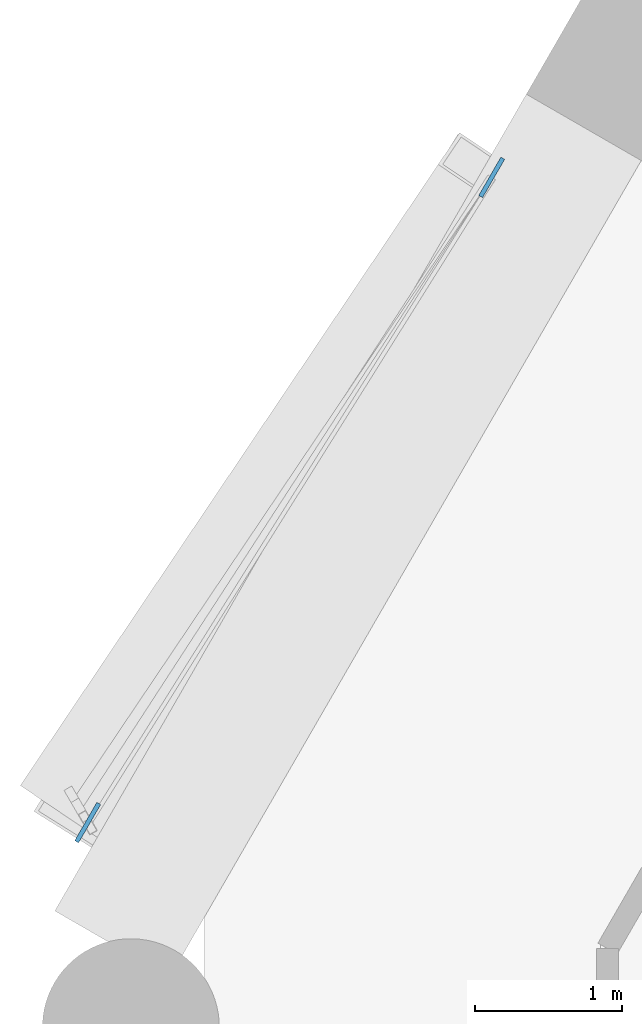
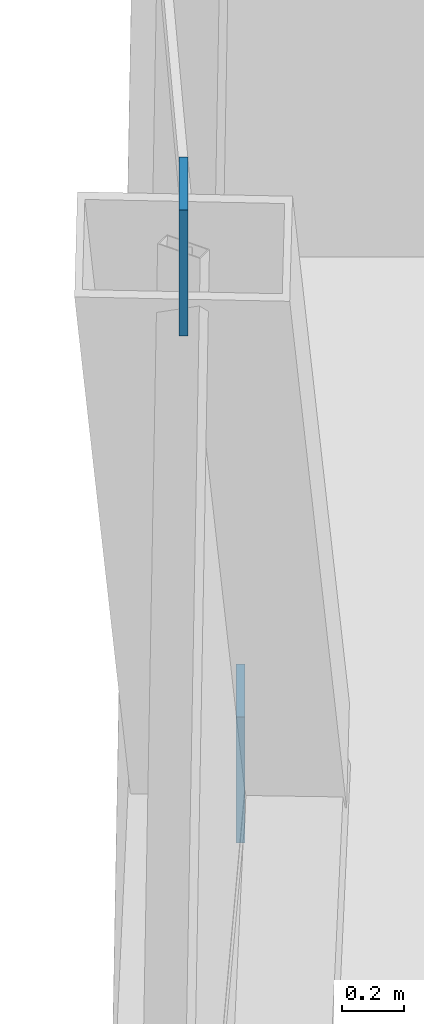
# One storey, part 36 of 38: 2 discrete accessories.
"""IFC4 building model written with IfcOpenShell, lengths in metres."""

import ifcopenshell
import ifcopenshell.guid

model = None  # the IFC model being written
_history = None  # IfcOwnerHistory: only IFC2X3 demands one
_inside = {}  # id of a spatial element -> (the spatial element, [elements in it])
_under = {}  # id of a project, library or spatial element -> (it, [spatial elements below it])
_declared = {}  # id of a project -> (the project, [libraries it declares])
_typed = {}  # id of a type object -> (the type object, [elements of that type])
_made_of = {}  # id of a material, layer set ... -> (it, [elements and type objects made of it])


def new_model(schema):
    """Start an empty IFC model of exactly this schema.

    Asked for "IFC4X3", IfcOpenShell would pick the latest addendum, in which some entities
    have other attributes; the version numbers below select the first issue.
    IFC2X3 requires an IfcOwnerHistory on every rooted entity: one is made here for all.
    """
    global model, _history
    if schema == "IFC4X3":
        model = ifcopenshell.file(schema_version=(4, 3, 0, 0))
    else:
        model = ifcopenshell.file(schema=schema)
    _inside.clear()
    _under.clear()
    _declared.clear()
    _typed.clear()
    _made_of.clear()
    _history = None
    if model.schema == "IFC2X3":
        org = make("IfcOrganization", Name="unknown")
        user = make(
            "IfcPersonAndOrganization",
            ThePerson=make("IfcPerson", FamilyName="unknown"),
            TheOrganization=org,
        )
        app = make(
            "IfcApplication",
            ApplicationDeveloper=org,
            Version="unknown",
            ApplicationFullName="unknown",
            ApplicationIdentifier="unknown",
        )
        _history = make(
            "IfcOwnerHistory",
            OwningUser=user,
            OwningApplication=app,
            ChangeAction="ADDED",
            CreationDate=0,
        )
    return model


def make(cls, **values):
    """One entity of the class cls with the attributes given. An attribute that is None is left unset."""
    return model.create_entity(
        cls, **{name: value for name, value in values.items() if value is not None}
    )


def rooted(cls, **values):
    """An entity with a GlobalId (a new one), such as an element, a storey or a relation."""
    return make(cls, GlobalId=ifcopenshell.guid.new(), OwnerHistory=_history, **values)


def si_unit(unit_type, name, prefix=None):
    """IfcSIUnit, for example si_unit("LENGTHUNIT", "METRE", prefix="MILLI")."""
    return make("IfcSIUnit", UnitType=unit_type, Prefix=prefix, Name=name)


def assignment(units):
    """IfcUnitAssignment: the units of a project."""
    return None if units is None else make("IfcUnitAssignment", Units=units)


def point(xyz):
    """IfcCartesianPoint."""
    return None if xyz is None else make("IfcCartesianPoint", Coordinates=xyz)


def direction(xyz):
    """IfcDirection."""
    return None if xyz is None else make("IfcDirection", DirectionRatios=xyz)


def frame(location, z_axis=None, x_axis=None):
    """IfcAxis2Placement3D, a coordinate frame: its origin and axes. An axis left out is left unset."""
    return make(
        "IfcAxis2Placement3D",
        Location=point(location),
        Axis=direction(z_axis),
        RefDirection=direction(x_axis),
    )


def frame_2d(location, x_axis=None):
    """IfcAxis2Placement2D, a coordinate frame in the plane: its origin and x axis."""
    return make(
        "IfcAxis2Placement2D", Location=point(location), RefDirection=direction(x_axis)
    )


def origin():
    """The frame at (0, 0, 0) with its axes left unset."""
    return frame((0.0, 0.0, 0.0))


def origin_2d():
    """The frame at (0, 0) in the plane with its x axis left unset."""
    return frame_2d((0.0, 0.0))


def place(relative_to, where):
    """IfcLocalPlacement: puts the frame where relative to a parent placement (None: the world)."""
    return make(
        "IfcLocalPlacement", PlacementRelTo=relative_to, RelativePlacement=where
    )


def context(
    kind, dimensions, precision=None, world=None, true_north=None, identifier=None
):
    """IfcGeometricRepresentationContext, for example the 3D "Model" context."""
    return make(
        "IfcGeometricRepresentationContext",
        ContextIdentifier=identifier,
        ContextType=kind,
        CoordinateSpaceDimension=dimensions,
        Precision=precision,
        WorldCoordinateSystem=world,
        TrueNorth=true_north,
    )


def subcontext(parent, identifier, kind, view, scale=None):
    """IfcGeometricRepresentationSubContext, for example "Body" below "Model"."""
    return make(
        "IfcGeometricRepresentationSubContext",
        ContextIdentifier=identifier,
        ContextType=kind,
        ParentContext=parent,
        TargetScale=scale,
        TargetView=view,
    )


def project(units=None, contexts=None):
    """IfcProject with its units and contexts."""
    return rooted(
        "IfcProject",
        Name="project",
        RepresentationContexts=contexts,
        UnitsInContext=assignment(units),
    )


def spatial(cls, under=None, at=None, **own):
    """A site, building, storey or space (cls), placed at a placement, below another one or the project."""
    s = rooted(cls, ObjectPlacement=at, **own)
    if under is not None:
        _under.setdefault(under.id(), (under, []))[1].append(s)
    return s


def profile(cls, at=None, kind="AREA", **sizes):
    """A parametric profile (cls). Its sizes go by their IFC names, for example OverallWidth=200.0."""
    return make(cls, ProfileType=kind, Position=at, **sizes)


def rectangle(**sizes):
    """IfcRectangleProfileDef."""
    return profile("IfcRectangleProfileDef", **sizes)


def extrude(swept, where, along, depth):
    """IfcExtrudedAreaSolid: the profile swept, set in the frame where, extruded along a direction by depth."""
    return make(
        "IfcExtrudedAreaSolid",
        SweptArea=swept,
        Position=where,
        ExtrudedDirection=direction(along),
        Depth=depth,
    )


def shape(context_of_items, identifier, shape_type, items):
    """IfcShapeRepresentation: the items that make up one representation, for example the "Body"."""
    return make(
        "IfcShapeRepresentation",
        ContextOfItems=context_of_items,
        RepresentationIdentifier=identifier,
        RepresentationType=shape_type,
        Items=items,
    )


def material(Name=None, Category=None):
    """IfcMaterial."""
    return make("IfcMaterial", Name=Name, Category=Category)


def layer(
    of_material, thickness, ventilated=None, Name=None, Category=None, Priority=None
):
    """IfcMaterialLayer: one layer of a wall or slab, of a material (None: an air gap)."""
    return make(
        "IfcMaterialLayer",
        Material=of_material,
        LayerThickness=thickness,
        IsVentilated=ventilated,
        Name=Name,
        Category=Category,
        Priority=Priority,
    )


def layer_set(layers, Name=None):
    """IfcMaterialLayerSet."""
    return make("IfcMaterialLayerSet", MaterialLayers=layers, LayerSetName=Name)


def made_of(thing, what):
    """Note that an element or type object is made of a material, layer set ...; save() writes the relation."""
    if what is not None:
        _made_of.setdefault(what.id(), (what, []))[1].append(thing)
    return thing


def type_object(cls, material=None, **own):
    """A type object (cls), such as IfcWallType, which elements share."""
    return made_of(rooted(cls, **own), material)


def element(
    cls,
    number,
    at=None,
    inside=None,
    cuts=None,
    type_object=None,
    material=None,
    context=None,
    identifier="Body",
    shape_type=None,
    held_by="IfcProductDefinitionShape",
    body=None,
    shapes=None,
    **own,
):
    """One element of the class cls, such as IfcWall. Its Tag is "e" and its number.

    at: its placement. inside: the storey or other place that contains it. cuts: it is an
    opening in that element (IfcRelVoidsElement). A single representation is given by context,
    identifier, shape_type and body (its items); several are given by shapes. held_by: the class
    of the entity that holds the representations. save() writes the other relations.
    """
    e = rooted(cls, Tag="e%d" % number, ObjectPlacement=at, **own)
    if body is not None:
        shapes = [shape(context, identifier, shape_type, body)]
    if shapes is not None:
        e.Representation = make(held_by, Representations=shapes)
    if inside is not None:
        _inside.setdefault(inside.id(), (inside, []))[1].append(e)
    if cuts is not None:
        rooted(
            "IfcRelVoidsElement", RelatingBuildingElement=cuts, RelatedOpeningElement=e
        )
    if type_object is not None:
        _typed.setdefault(type_object.id(), (type_object, []))[1].append(e)
    return made_of(e, material)


def aggregate(whole, parts):
    """IfcRelAggregates: a whole, such as a stair, and the parts it consists of."""
    return rooted("IfcRelAggregates", RelatingObject=whole, RelatedObjects=parts)


def save(model, path):
    """Write the relations noted so far, then the file.

    IfcRelAggregates (storeys below a building ...), IfcRelContainedInSpatialStructure (elements
    in a storey), IfcRelDefinesByType, IfcRelAssociatesMaterial and IfcRelDeclares: one each for
    every whole, place, type object, material and project.
    """
    for whole, parts in _under.values():
        aggregate(whole, parts)
    for where, things in _inside.values():
        rooted(
            "IfcRelContainedInSpatialStructure",
            RelatedElements=things,
            RelatingStructure=where,
        )
    for kind, things in _typed.values():
        rooted("IfcRelDefinesByType", RelatedObjects=things, RelatingType=kind)
    for what, things in _made_of.values():
        rooted("IfcRelAssociatesMaterial", RelatedObjects=things, RelatingMaterial=what)
    for by, libraries in _declared.values():
        rooted("IfcRelDeclares", RelatingContext=by, RelatedDefinitions=libraries)
    model.write(path)


model = new_model("IFC4")

# Units and contexts
model_context = context("Model", 3, precision=1e-05, world=origin(), true_north=direction((0.0, 1.0)))
body_context = subcontext(model_context, "Body", "Model", "MODEL_VIEW")
ifc_project = project(units=[si_unit("LENGTHUNIT", "METRE"), si_unit("AREAUNIT", "SQUARE_METRE"), si_unit("VOLUMEUNIT", "CUBIC_METRE"), si_unit("PLANEANGLEUNIT", "RADIAN"), si_unit("MASSUNIT", "GRAM", prefix="KILO")], contexts=[model_context])

# Site, building, storey
site_placement = place(None, origin())
site = spatial("IfcSite", under=ifc_project, at=site_placement, CompositionType="ELEMENT")
building_placement = place(site_placement, origin())
building = spatial("IfcBuilding", under=site, at=building_placement, Name="Ostrander Bayou Hotel Tower", CompositionType="ELEMENT")
storey_placement = place(building_placement, frame((0.0, 0.0, 96.75)))
storey = spatial("IfcBuildingStorey", under=building, at=storey_placement, Name="L24", CompositionType="ELEMENT", Elevation=96.75)

# Discrete accessories
ifc_material = material(Name="Steel ASTM A572 Gr 50", Category="steel")
ifc_layer = layer(ifc_material, 0.030029296875)
ifc_layer_set = layer_set([ifc_layer], Name="GP1 gusset plate 30 mm")
discrete_accessory_type = type_object("IfcDiscreteAccessoryType", Name="GP1 gusset plate 30 mm", PredefinedType="BRACKET", material=ifc_layer_set)
for number, where, z_axis, x_axis, name in (
    (1, (-19.927001953125, 5.600830078125, 4.77490234375), (0.0, 0.0, 1.0), (-0.5, -0.866025403784, 0.0), "GP1 gusset plate lat 144"),
    (2, (-22.66748046875, 1.22412109375, 10.39990234375), (0.0, 0.0, 1.0), (-0.5, -0.866025403784, 0.0), "GP1 gusset plate lat 145"),
):
    element("IfcDiscreteAccessory", number, at=place(storey_placement, frame(where, z_axis=z_axis, x_axis=x_axis)), inside=storey, type_object=discrete_accessory_type, Name=name, PredefinedType="BRACKET", context=body_context, shape_type="SweptSolid", body=[
        extrude(rectangle(XDim=0.300048828125, YDim=0.030029296875, at=origin_2d()), origin(), (0.0, 0.0, 1.0), 0.5),
    ])

save(model, "model.ifc")
